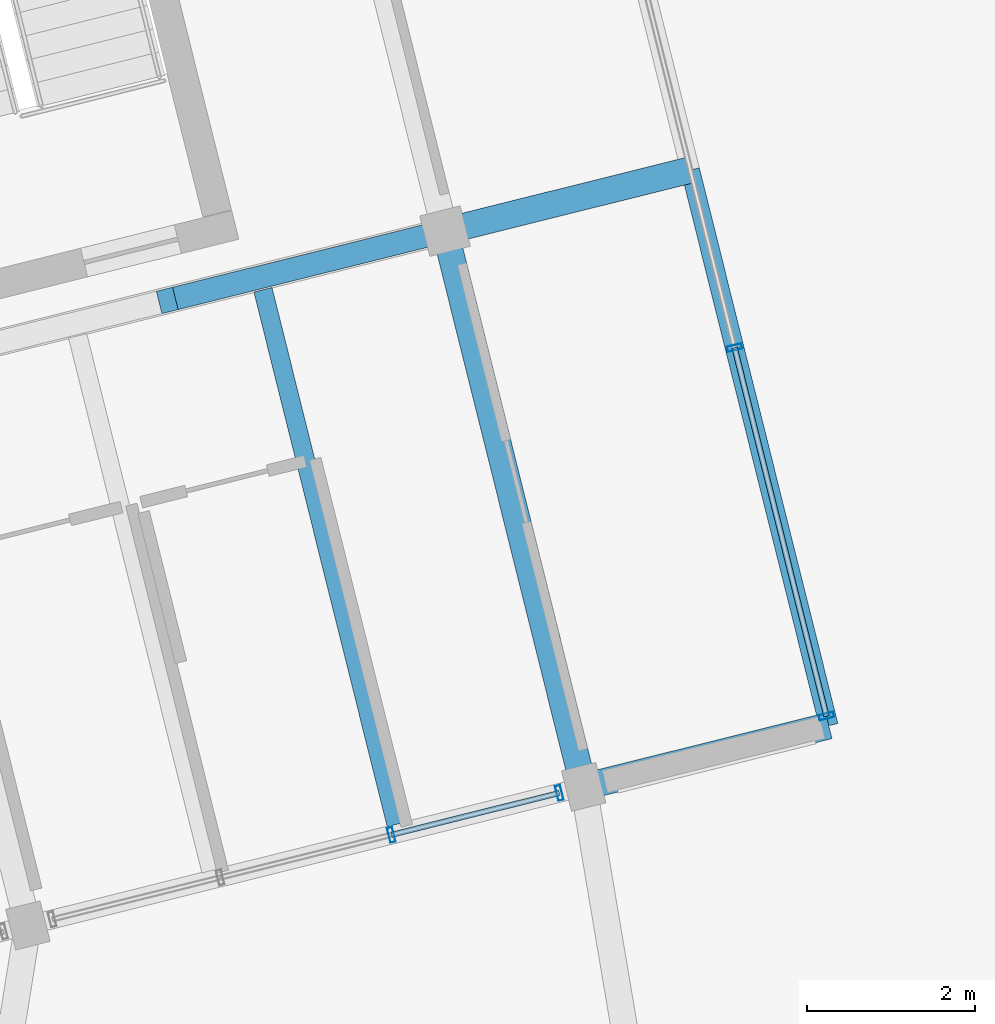
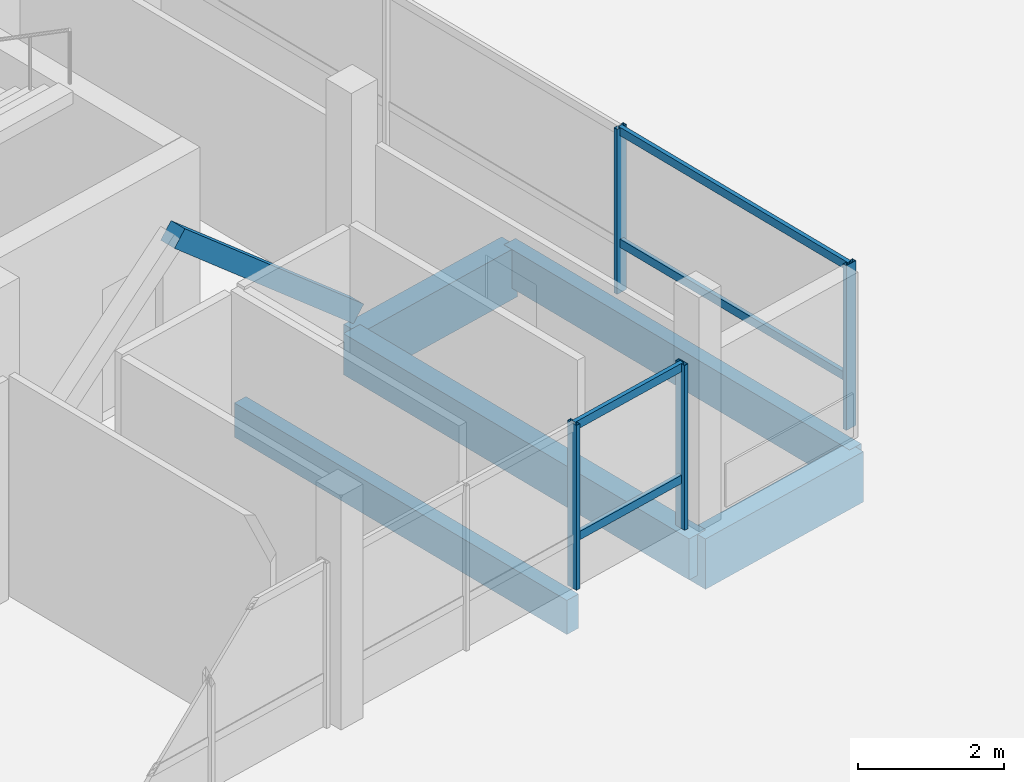
# One storey, part 14 of 37: 9 members, 5 beams, 2 elements without a shape of their own.
"""IFC4 building model written with IfcOpenShell, lengths in metres."""

import ifcopenshell
import ifcopenshell.guid

model = None  # the IFC model being written
_history = None  # IfcOwnerHistory: only IFC2X3 demands one
_inside = {}  # id of a spatial element -> (the spatial element, [elements in it])
_under = {}  # id of a project, library or spatial element -> (it, [spatial elements below it])
_declared = {}  # id of a project -> (the project, [libraries it declares])
_typed = {}  # id of a type object -> (the type object, [elements of that type])
_made_of = {}  # id of a material, layer set ... -> (it, [elements and type objects made of it])


def new_model(schema):
    """Start an empty IFC model of exactly this schema.

    Asked for "IFC4X3", IfcOpenShell would pick the latest addendum, in which some entities
    have other attributes; the version numbers below select the first issue.
    IFC2X3 requires an IfcOwnerHistory on every rooted entity: one is made here for all.
    """
    global model, _history
    if schema == "IFC4X3":
        model = ifcopenshell.file(schema_version=(4, 3, 0, 0))
    else:
        model = ifcopenshell.file(schema=schema)
    _inside.clear()
    _under.clear()
    _declared.clear()
    _typed.clear()
    _made_of.clear()
    _history = None
    if model.schema == "IFC2X3":
        org = make("IfcOrganization", Name="unknown")
        user = make(
            "IfcPersonAndOrganization",
            ThePerson=make("IfcPerson", FamilyName="unknown"),
            TheOrganization=org,
        )
        app = make(
            "IfcApplication",
            ApplicationDeveloper=org,
            Version="unknown",
            ApplicationFullName="unknown",
            ApplicationIdentifier="unknown",
        )
        _history = make(
            "IfcOwnerHistory",
            OwningUser=user,
            OwningApplication=app,
            ChangeAction="ADDED",
            CreationDate=0,
        )
    return model


def make(cls, **values):
    """One entity of the class cls with the attributes given. An attribute that is None is left unset."""
    return model.create_entity(
        cls, **{name: value for name, value in values.items() if value is not None}
    )


def rooted(cls, **values):
    """An entity with a GlobalId (a new one), such as an element, a storey or a relation."""
    return make(cls, GlobalId=ifcopenshell.guid.new(), OwnerHistory=_history, **values)


def si_unit(unit_type, name, prefix=None):
    """IfcSIUnit, for example si_unit("LENGTHUNIT", "METRE", prefix="MILLI")."""
    return make("IfcSIUnit", UnitType=unit_type, Prefix=prefix, Name=name)


def assignment(units):
    """IfcUnitAssignment: the units of a project."""
    return None if units is None else make("IfcUnitAssignment", Units=units)


def point(xyz):
    """IfcCartesianPoint."""
    return None if xyz is None else make("IfcCartesianPoint", Coordinates=xyz)


def direction(xyz):
    """IfcDirection."""
    return None if xyz is None else make("IfcDirection", DirectionRatios=xyz)


def frame(location, z_axis=None, x_axis=None):
    """IfcAxis2Placement3D, a coordinate frame: its origin and axes. An axis left out is left unset."""
    return make(
        "IfcAxis2Placement3D",
        Location=point(location),
        Axis=direction(z_axis),
        RefDirection=direction(x_axis),
    )


def frame_2d(location, x_axis=None):
    """IfcAxis2Placement2D, a coordinate frame in the plane: its origin and x axis."""
    return make(
        "IfcAxis2Placement2D", Location=point(location), RefDirection=direction(x_axis)
    )


def origin():
    """The frame at (0, 0, 0) with its axes left unset."""
    return frame((0.0, 0.0, 0.0))


def origin_2d():
    """The frame at (0, 0) in the plane with its x axis left unset."""
    return frame_2d((0.0, 0.0))


def place(relative_to, where):
    """IfcLocalPlacement: puts the frame where relative to a parent placement (None: the world)."""
    return make(
        "IfcLocalPlacement", PlacementRelTo=relative_to, RelativePlacement=where
    )


def context(
    kind, dimensions, precision=None, world=None, true_north=None, identifier=None
):
    """IfcGeometricRepresentationContext, for example the 3D "Model" context."""
    return make(
        "IfcGeometricRepresentationContext",
        ContextIdentifier=identifier,
        ContextType=kind,
        CoordinateSpaceDimension=dimensions,
        Precision=precision,
        WorldCoordinateSystem=world,
        TrueNorth=true_north,
    )


def subcontext(parent, identifier, kind, view, scale=None):
    """IfcGeometricRepresentationSubContext, for example "Body" below "Model"."""
    return make(
        "IfcGeometricRepresentationSubContext",
        ContextIdentifier=identifier,
        ContextType=kind,
        ParentContext=parent,
        TargetScale=scale,
        TargetView=view,
    )


def project(units=None, contexts=None):
    """IfcProject with its units and contexts."""
    return rooted(
        "IfcProject",
        Name="project",
        RepresentationContexts=contexts,
        UnitsInContext=assignment(units),
    )


def spatial(cls, under=None, at=None, **own):
    """A site, building, storey or space (cls), placed at a placement, below another one or the project."""
    s = rooted(cls, ObjectPlacement=at, **own)
    if under is not None:
        _under.setdefault(under.id(), (under, []))[1].append(s)
    return s


def profile(cls, at=None, kind="AREA", **sizes):
    """A parametric profile (cls). Its sizes go by their IFC names, for example OverallWidth=200.0."""
    return make(cls, ProfileType=kind, Position=at, **sizes)


def rectangle(**sizes):
    """IfcRectangleProfileDef."""
    return profile("IfcRectangleProfileDef", **sizes)


def hollow_rectangle(**sizes):
    """IfcRectangleHollowProfileDef."""
    return profile("IfcRectangleHollowProfileDef", **sizes)


def extrude(swept, where, along, depth):
    """IfcExtrudedAreaSolid: the profile swept, set in the frame where, extruded along a direction by depth."""
    return make(
        "IfcExtrudedAreaSolid",
        SweptArea=swept,
        Position=where,
        ExtrudedDirection=direction(along),
        Depth=depth,
    )


def shape(context_of_items, identifier, shape_type, items):
    """IfcShapeRepresentation: the items that make up one representation, for example the "Body"."""
    return make(
        "IfcShapeRepresentation",
        ContextOfItems=context_of_items,
        RepresentationIdentifier=identifier,
        RepresentationType=shape_type,
        Items=items,
    )


def material(Name=None, Category=None):
    """IfcMaterial."""
    return make("IfcMaterial", Name=Name, Category=Category)


def layer(
    of_material, thickness, ventilated=None, Name=None, Category=None, Priority=None
):
    """IfcMaterialLayer: one layer of a wall or slab, of a material (None: an air gap)."""
    return make(
        "IfcMaterialLayer",
        Material=of_material,
        LayerThickness=thickness,
        IsVentilated=ventilated,
        Name=Name,
        Category=Category,
        Priority=Priority,
    )


def layer_set(layers, Name=None):
    """IfcMaterialLayerSet."""
    return make("IfcMaterialLayerSet", MaterialLayers=layers, LayerSetName=Name)


def material_profile(
    of_material, cross_section, Name=None, Category=None, Priority=None
):
    """IfcMaterialProfile: a cross section and its material."""
    return make(
        "IfcMaterialProfile",
        Name=Name,
        Material=of_material,
        Profile=cross_section,
        Priority=Priority,
        Category=Category,
    )


def profile_set(profiles, Name=None, composite=None):
    """IfcMaterialProfileSet."""
    return make(
        "IfcMaterialProfileSet",
        Name=Name,
        MaterialProfiles=profiles,
        CompositeProfile=composite,
    )


def made_of(thing, what):
    """Note that an element or type object is made of a material, layer set ...; save() writes the relation."""
    if what is not None:
        _made_of.setdefault(what.id(), (what, []))[1].append(thing)
    return thing


def type_object(cls, material=None, **own):
    """A type object (cls), such as IfcWallType, which elements share."""
    return made_of(rooted(cls, **own), material)


def element(
    cls,
    number,
    at=None,
    inside=None,
    cuts=None,
    type_object=None,
    material=None,
    context=None,
    identifier="Body",
    shape_type=None,
    held_by="IfcProductDefinitionShape",
    body=None,
    shapes=None,
    **own,
):
    """One element of the class cls, such as IfcWall. Its Tag is "e" and its number.

    at: its placement. inside: the storey or other place that contains it. cuts: it is an
    opening in that element (IfcRelVoidsElement). A single representation is given by context,
    identifier, shape_type and body (its items); several are given by shapes. held_by: the class
    of the entity that holds the representations. save() writes the other relations.
    """
    e = rooted(cls, Tag="e%d" % number, ObjectPlacement=at, **own)
    if body is not None:
        shapes = [shape(context, identifier, shape_type, body)]
    if shapes is not None:
        e.Representation = make(held_by, Representations=shapes)
    if inside is not None:
        _inside.setdefault(inside.id(), (inside, []))[1].append(e)
    if cuts is not None:
        rooted(
            "IfcRelVoidsElement", RelatingBuildingElement=cuts, RelatedOpeningElement=e
        )
    if type_object is not None:
        _typed.setdefault(type_object.id(), (type_object, []))[1].append(e)
    return made_of(e, material)


def aggregate(whole, parts):
    """IfcRelAggregates: a whole, such as a stair, and the parts it consists of."""
    return rooted("IfcRelAggregates", RelatingObject=whole, RelatedObjects=parts)


def save(model, path):
    """Write the relations noted so far, then the file.

    IfcRelAggregates (storeys below a building ...), IfcRelContainedInSpatialStructure (elements
    in a storey), IfcRelDefinesByType, IfcRelAssociatesMaterial and IfcRelDeclares: one each for
    every whole, place, type object, material and project.
    """
    for whole, parts in _under.values():
        aggregate(whole, parts)
    for where, things in _inside.values():
        rooted(
            "IfcRelContainedInSpatialStructure",
            RelatedElements=things,
            RelatingStructure=where,
        )
    for kind, things in _typed.values():
        rooted("IfcRelDefinesByType", RelatedObjects=things, RelatingType=kind)
    for what, things in _made_of.values():
        rooted("IfcRelAssociatesMaterial", RelatedObjects=things, RelatingMaterial=what)
    for by, libraries in _declared.values():
        rooted("IfcRelDeclares", RelatingContext=by, RelatedDefinitions=libraries)
    model.write(path)


model = new_model("IFC4")

# Units and contexts
model_context = context("Model", 3, precision=1e-05, world=origin(), true_north=direction((0.0, 1.0)))
body_context = subcontext(model_context, "Body", "Model", "MODEL_VIEW")
ifc_project = project(units=[si_unit("LENGTHUNIT", "METRE"), si_unit("AREAUNIT", "SQUARE_METRE"), si_unit("VOLUMEUNIT", "CUBIC_METRE"), si_unit("PLANEANGLEUNIT", "RADIAN"), si_unit("MASSUNIT", "GRAM", prefix="KILO")], contexts=[model_context])

# Site, building, storey
site_placement = place(None, origin())
site = spatial("IfcSite", under=ifc_project, at=site_placement, CompositionType="ELEMENT")
building_placement = place(site_placement, origin())
building = spatial("IfcBuilding", under=site, at=building_placement, Name="Meriwether Solvik Hall", CompositionType="ELEMENT")
storey_placement = place(building_placement, frame((0.0, 0.0, 26.10009765625)))
storey = spatial("IfcBuildingStorey", under=building, at=storey_placement, Name="L06", CompositionType="ELEMENT", Elevation=26.10009765625)

# Beams
ifc_material_1 = material(Name="Glulam Douglas-Fir 24F-V8 GL28h", Category="wood")
ifc_material_profile_1 = material_profile(ifc_material_1, rectangle(XDim=0.221923828125, YDim=0.64501953125, at=origin_2d()), Name="GLB-222X645")
ifc_profile_set_1 = profile_set([ifc_material_profile_1], Name="Glulam Douglas-Fir 24F-V8 GL28h")
beam_type_1 = type_object("IfcBeamType", Name="BM-GL-222X645", PredefinedType="SPANDREL", material=ifc_profile_set_1)
beam_1_placement = place(storey_placement, frame((106.441650390625, 50.635009765625, -0.592529296875), z_axis=(-0.2419526798, 0.970288050394, 0.0), x_axis=(-0.970288050394, -0.2419526798, 0.0)))
element("IfcBeam", 1, at=beam_1_placement, inside=storey, type_object=beam_type_1, Name="Shard Edge Spandrel 1 (L06)", PredefinedType="SPANDREL", context=body_context, shape_type="SweptSolid", body=[
    extrude(rectangle(XDim=0.221923828125, YDim=0.64501953125, at=origin_2d()), origin(), (0.0, 0.0, 1.0), 6.800048828125),
])
ifc_material_2 = material(Name="Glulam Douglas-Fir 24F-V8 GL28h", Category="wood")
ifc_material_profile_2 = material_profile(ifc_material_2, rectangle(XDim=0.31494140625, YDim=0.68505859375, at=origin_2d()), Name="GLB-315X685")
ifc_profile_set_2 = profile_set([ifc_material_profile_2], Name="Glulam Douglas-Fir 24F-V8 GL28h")
beam_type_2 = type_object("IfcBeamType", Name="BM-GL-315X685", PredefinedType="BEAM", material=ifc_profile_set_2)
beam_2_placement = place(storey_placement, frame((103.53076171875, 49.9091796875, -0.612548828125), z_axis=(-0.2419526798, 0.970288050394, 0.0), x_axis=(-0.970288050394, -0.2419526798, 0.0)))
element("IfcBeam", 2, at=beam_2_placement, inside=storey, type_object=beam_type_2, Name="Tower Girder T6:TA-TB (L06)", PredefinedType="BEAM", context=body_context, shape_type="SweptSolid", body=[
    extrude(rectangle(XDim=0.31494140625, YDim=0.68505859375, at=origin_2d()), origin(), (0.0, 0.0, 1.0), 6.800048828125),
])

# Curtain wall, members
ifc_material_3 = material(Name="Thermally Broken Anodised Aluminium 6063-T6 and Low-E Glass", Category="aluminium")
ifc_layer_1 = layer(ifc_material_3, 0.179931640625)
ifc_layer_set_1 = layer_set([ifc_layer_1], Name="Thermally Broken Anodised Aluminium 6063-T6 and Low-E Glass")
curtain_wall_type_1 = type_object("IfcCurtainWallType", Name="CW-UNIT-A", PredefinedType="USERDEFINED", material=ifc_layer_set_1)
curtain_wall_1_placement = place(storey_placement, origin())
curtain_wall_1 = element("IfcCurtainWall", 3, at=curtain_wall_1_placement, inside=storey, type_object=curtain_wall_type_1, Name="Curtain Wall E0_B4 (L06)", ObjectType="UNITISED CURTAIN WALL", PredefinedType="USERDEFINED")
ifc_material_4 = material(Name="Anodised Aluminium 6063-T6", Category="aluminium")
ifc_material_profile_3 = material_profile(ifc_material_4, hollow_rectangle(XDim=0.06494140625, YDim=0.179931640625, WallThickness=0.00439453125, at=origin_2d()), Name="CWM-65X180")
ifc_profile_set_3 = profile_set([ifc_material_profile_3], Name="Anodised Aluminium 6063-T6")
member_type_1 = type_object("IfcMemberType", Name="CW-MUL-65X180", PredefinedType="MULLION", material=ifc_profile_set_3)
member_1_placement = place(storey_placement, frame((103.241943359375, 49.837158203125, 0.0), z_axis=(0.0, 0.0, 1.0), x_axis=(-0.970295700579, -0.241921998665, 0.0)))
member_1 = element("IfcMember", 4, at=member_1_placement, type_object=member_type_1, Name="Curtain Wall Mullion 1", PredefinedType="MULLION", context=body_context, shape_type="SweptSolid", body=[
    extrude(hollow_rectangle(XDim=0.06494140625, YDim=0.179931640625, WallThickness=0.00439453125, at=origin_2d()), origin(), (0.0, 0.0, 1.0), 2.75),
])
member_2_placement = place(storey_placement, frame((101.247314453125, 49.33984375, 0.0), z_axis=(0.0, 0.0, 1.0), x_axis=(-0.970295700579, -0.241921998665, 0.0)))
member_2 = element("IfcMember", 5, at=member_2_placement, type_object=member_type_1, Name="Curtain Wall Mullion 2", PredefinedType="MULLION", context=body_context, shape_type="SweptSolid", body=[
    extrude(hollow_rectangle(XDim=0.06494140625, YDim=0.179931640625, WallThickness=0.00439453125, at=origin_2d()), origin(), (0.0, 0.0, 1.0), 2.75),
])

ifc_material_5 = material(Name="Thermally Broken Anodised Aluminium 6063-T6 and Low-E Glass", Category="aluminium")
ifc_layer_2 = layer(ifc_material_5, 0.179931640625)
ifc_layer_set_2 = layer_set([ifc_layer_2], Name="Thermally Broken Anodised Aluminium 6063-T6 and Low-E Glass")
curtain_wall_type_2 = type_object("IfcCurtainWallType", Name="CW-UNIT-E", PredefinedType="USERDEFINED", material=ifc_layer_set_2)
curtain_wall_2_placement = place(storey_placement, origin())
curtain_wall_2 = element("IfcCurtainWall", 6, at=curtain_wall_2_placement, inside=storey, type_object=curtain_wall_type_2, Name="Curtain Wall E1_B0 (L06)", ObjectType="UNITISED CURTAIN WALL", PredefinedType="USERDEFINED")
member_3_placement = place(storey_placement, frame((105.322265625, 55.124267578125, 0.0), z_axis=(0.0, 0.0, 1.0), x_axis=(0.241921931502, -0.970295717325, 0.0)))
member_3 = element("IfcMember", 7, at=member_3_placement, type_object=member_type_1, Name="Curtain Wall Mullion 3", PredefinedType="MULLION", context=body_context, shape_type="SweptSolid", body=[
    extrude(hollow_rectangle(XDim=0.06494140625, YDim=0.179931640625, WallThickness=0.00439453125, at=origin_2d()), origin(), (0.0, 0.0, 1.0), 2.75),
])
member_4_placement = place(storey_placement, frame((106.4130859375, 50.74951171875, 0.0), z_axis=(0.0, 0.0, 1.0), x_axis=(0.241921931502, -0.970295717325, 0.0)))
member_4 = element("IfcMember", 8, at=member_4_placement, type_object=member_type_1, Name="Curtain Wall Mullion 4", PredefinedType="MULLION", context=body_context, shape_type="SweptSolid", body=[
    extrude(hollow_rectangle(XDim=0.06494140625, YDim=0.179931640625, WallThickness=0.00439453125, at=origin_2d()), origin(), (0.0, 0.0, 1.0), 2.75),
])

# Member
ifc_material_6 = material(Name="Anodised Aluminium 6063-T6", Category="aluminium")
ifc_material_profile_4 = material_profile(ifc_material_6, hollow_rectangle(XDim=0.06494140625, YDim=0.139892578125, WallThickness=0.00439453125, at=origin_2d()), Name="CWT-65X140")
ifc_profile_set_4 = profile_set([ifc_material_profile_4], Name="Anodised Aluminium 6063-T6")
member_type_2 = type_object("IfcMemberType", Name="CW-TRN-65X140", PredefinedType="USERDEFINED", material=ifc_profile_set_4)
member_5_placement = place(storey_placement, frame((103.241943359375, 49.837158203125, 0.824951171875), z_axis=(-0.970295999012, -0.241920801712, 0.0), x_axis=(0.241920801712, -0.970295999012, 0.0)))
member_5 = element("IfcMember", 9, at=member_5_placement, type_object=member_type_2, Name="Curtain Wall Transom 1-sill", ObjectType="TRANSOM", PredefinedType="USERDEFINED", context=body_context, shape_type="SweptSolid", body=[
    extrude(hollow_rectangle(XDim=0.06494140625, YDim=0.139892578125, WallThickness=0.00439453125, at=origin_2d()), origin(), (0.0, 0.0, 1.0), 2.0556640625),
])

member_6_placement = place(storey_placement, frame((103.241943359375, 49.837158203125, 2.68994140625), z_axis=(-0.970295999012, -0.241920801712, 0.0), x_axis=(0.241920801712, -0.970295999012, 0.0)))
member_6 = element("IfcMember", 10, at=member_6_placement, type_object=member_type_2, Name="Curtain Wall Transom 1-head", ObjectType="TRANSOM", PredefinedType="USERDEFINED", context=body_context, shape_type="SweptSolid", body=[
    extrude(hollow_rectangle(XDim=0.06494140625, YDim=0.139892578125, WallThickness=0.00439453125, at=origin_2d()), origin(), (0.0, 0.0, 1.0), 2.0556640625),
])

aggregate(curtain_wall_1, [member_1, member_2, member_5, member_6])

member_7_placement = place(storey_placement, frame((105.322265625, 55.124267578125, 0.824951171875), z_axis=(0.241936757011, -0.970292020789, 0.0), x_axis=(0.970292020789, 0.241936757011, 0.0)))
member_7 = element("IfcMember", 11, at=member_7_placement, type_object=member_type_2, Name="Curtain Wall Transom 3-sill", ObjectType="TRANSOM", PredefinedType="USERDEFINED", context=body_context, shape_type="SweptSolid", body=[
    extrude(hollow_rectangle(XDim=0.06494140625, YDim=0.139892578125, WallThickness=0.00439453125, at=origin_2d()), origin(), (0.0, 0.0, 1.0), 4.5087890625),
])

member_8_placement = place(storey_placement, frame((105.322265625, 55.124267578125, 2.68994140625), z_axis=(0.241936757011, -0.970292020789, 0.0), x_axis=(0.970292020789, 0.241936757011, 0.0)))
member_8 = element("IfcMember", 12, at=member_8_placement, type_object=member_type_2, Name="Curtain Wall Transom 3-head", ObjectType="TRANSOM", PredefinedType="USERDEFINED", context=body_context, shape_type="SweptSolid", body=[
    extrude(hollow_rectangle(XDim=0.06494140625, YDim=0.139892578125, WallThickness=0.00439453125, at=origin_2d()), origin(), (0.0, 0.0, 1.0), 4.5087890625),
])

aggregate(curtain_wall_2, [member_3, member_4, member_7, member_8])

# Beams
ifc_material_7 = material(Name="Glulam Douglas-Fir 24F-V8 GL28h", Category="wood")
ifc_material_profile_5 = material_profile(ifc_material_7, rectangle(XDim=0.31494140625, YDim=0.840087890625, at=origin_2d()), Name="GLB-315X840")
ifc_profile_set_5 = profile_set([ifc_material_profile_5], Name="Glulam Douglas-Fir 24F-V8 GL28h")
beam_type_3 = type_object("IfcBeamType", Name="GL-CANT-315X840", PredefinedType="BEAM", material=ifc_profile_set_5)
for number, where, z_axis, x_axis, name in (
    (13, (103.53076171875, 49.9091796875, -0.690185546875), (0.970290716908, 0.241941986192, 0.0), (-0.241941986192, 0.970290716908, 0.0), "Shard Cantilever Girder TA (L06)"),
    (14, (101.885498046875, 56.507080078125, -0.690185546875), (0.970290716908, 0.241941986192, 0.0), (-0.241941986192, 0.970290716908, 0.0), "Shard Cantilever Girder TB (L06)"),
):
    element("IfcBeam", number, at=place(storey_placement, frame(where, z_axis=z_axis, x_axis=x_axis)), inside=storey, type_object=beam_type_3, Name=name, PredefinedType="BEAM", context=body_context, shape_type="SweptSolid", body=[
        extrude(rectangle(XDim=0.31494140625, YDim=0.840087890625, at=origin_2d()), origin(), (0.0, 0.0, 1.0), 3.0),
    ])
ifc_material_8 = material(Name="Glulam Douglas-Fir 24F-V8 GL28h", Category="wood")
ifc_material_profile_6 = material_profile(ifc_material_8, rectangle(XDim=0.221923828125, YDim=0.570068359375, at=origin_2d()), Name="GLJ-222X570")
ifc_profile_set_6 = profile_set([ifc_material_profile_6], Name="Glulam Douglas-Fir 24F-V8 GL28h")
beam_type_4 = type_object("IfcBeamType", Name="JST-GL-222X570", PredefinedType="JOIST", material=ifc_profile_set_6)
beam_3_placement = place(storey_placement, frame((101.3056640625, 49.463623046875, -0.55517578125), z_axis=(-0.241920861923, 0.970295984, 0.0), x_axis=(-0.970295984, -0.241920861923, 0.0)))
element("IfcBeam", 15, at=beam_3_placement, inside=storey, type_object=beam_type_4, Name="Glulam Floor Joist T5/TA-J2 (L06)", PredefinedType="JOIST", context=body_context, shape_type="SweptSolid", body=[
    extrude(rectangle(XDim=0.221923828125, YDim=0.570068359375, at=origin_2d()), origin(), (0.0, 0.0, 1.0), 6.54150390625),
])

# Member
ifc_material_9 = material(Name="Glulam Douglas-Fir 24F-V8 GL28h", Category="wood")
ifc_material_profile_7 = material_profile(ifc_material_9, rectangle(XDim=0.27294921875, YDim=0.304931640625, at=origin_2d()), Name="GLM-273X305")
ifc_profile_set_7 = profile_set([ifc_material_profile_7], Name="Glulam Douglas-Fir 24F-V8 GL28h")
member_type_3 = type_object("IfcMemberType", Name="MEM-BR-GL273", PredefinedType="BRACE", material=ifc_profile_set_7)
member_9_placement = place(storey_placement, frame((101.885498046875, 56.507080078125, 0.0498046875), z_axis=(-0.737128290813, -0.183791090272, 0.650278954003), x_axis=(0.241927305891, -0.970294377323, 0.0)))
element("IfcMember", 16, at=member_9_placement, inside=storey, type_object=member_type_3, Name="Tower Chevron Brace L06-B3B", PredefinedType="BRACE", context=body_context, shape_type="SweptSolid", body=[
    extrude(rectangle(XDim=0.27294921875, YDim=0.304931640625, at=origin_2d()), origin(), (0.0, 0.0, 1.0), 4.475341796875),
])

save(model, "model.ifc")
